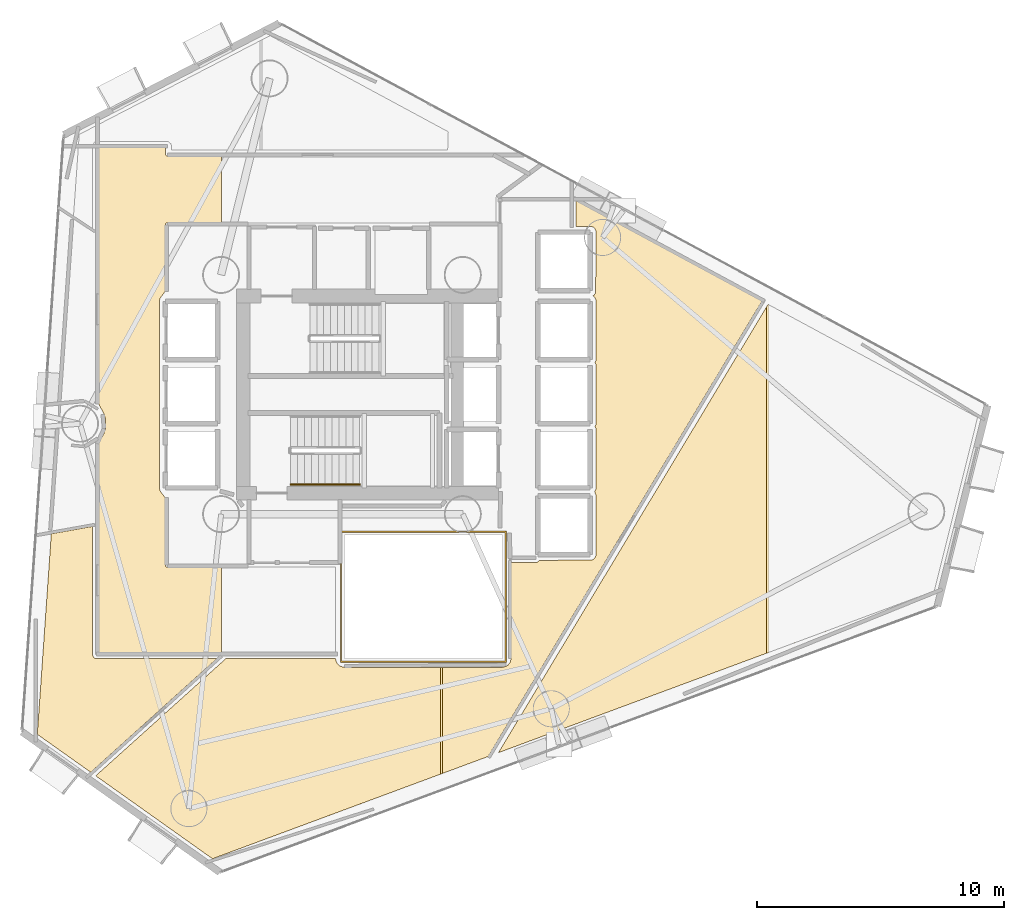
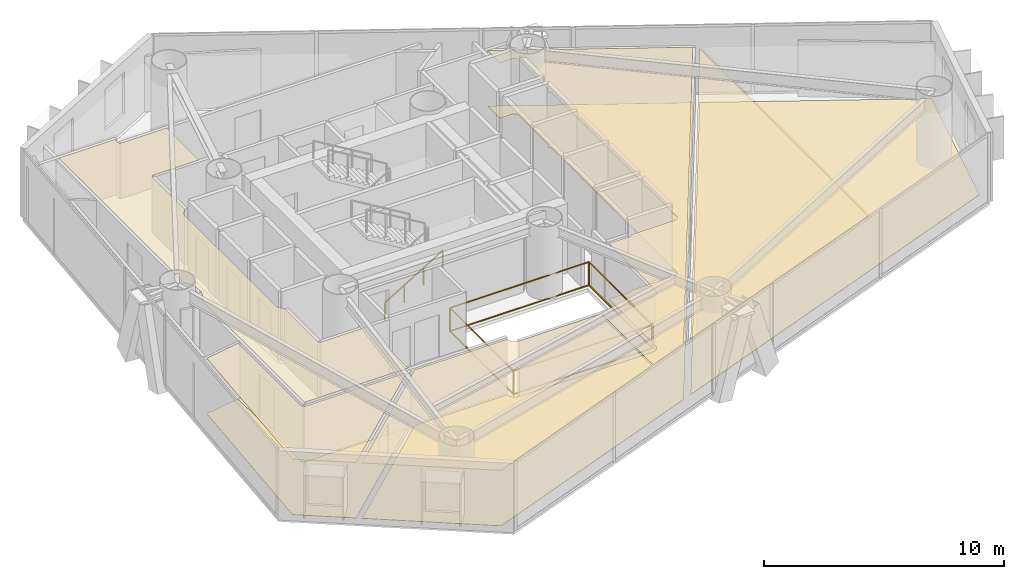
# One storey, part 19 of 21: 8 coverings, 2 railings.
"""IFC4 building model written with IfcOpenShell, lengths in metres."""

from ifc_helpers import new_model, si_unit, direction, frame, origin, origin_2d, place, context, subcontext, project, spatial, polyline, rectangle, outline, extrude, material, layer, layer_set, type_object, element, save


model = new_model("IFC4")

# Units and contexts
model_context = context("Model", 3, precision=1e-05, world=origin(), true_north=direction((0.0, 1.0)))
body_context = subcontext(model_context, "Body", "Model", "MODEL_VIEW")
ifc_project = project(units=[si_unit("LENGTHUNIT", "METRE"), si_unit("AREAUNIT", "SQUARE_METRE"), si_unit("VOLUMEUNIT", "CUBIC_METRE"), si_unit("PLANEANGLEUNIT", "RADIAN"), si_unit("MASSUNIT", "GRAM", prefix="KILO")], contexts=[model_context])

# Site, building, storey
site_placement = place(None, origin())
site = spatial("IfcSite", under=ifc_project, at=site_placement, CompositionType="ELEMENT")
building_placement = place(site_placement, origin())
building = spatial("IfcBuilding", under=site, at=building_placement, Name="Qianvela Tower", CompositionType="ELEMENT")
storey_placement = place(building_placement, frame((0.0, 0.0, 127.39990234375)))
storey = spatial("IfcBuildingStorey", under=building, at=storey_placement, Name="L32", CompositionType="ELEMENT", Elevation=127.39990234375)

# Coverings
ifc_material_1 = material(Name="Perforated Mineral Acoustic Ceiling Tile")
ifc_layer_1 = layer(ifc_material_1, 0.02490234375)
ifc_layer_set_1 = layer_set([ifc_layer_1], Name="Perforated Mineral Acoustic Ceiling Tile")
covering_type_1 = type_object("IfcCoveringType", Name="COV-CEIL-ACOUSTIC-25", PredefinedType="CEILING", material=ifc_layer_set_1)
covering_1_placement = place(storey_placement, frame((0.0, 0.0, 2.815185546875)))
element("IfcCovering", 1, at=covering_1_placement, inside=storey, type_object=covering_type_1, Name="L32 Acoustic Ceiling Bay 1 L32 Floor Corridor", PredefinedType="CEILING", context=body_context, shape_type="SweptSolid", body=[
    extrude(outline(polyline([(23.84814453125, 27.917724609375), (23.8447265625, 27.9248046875), (23.6298828125, 28.32666015625), (23.6298828125, 38.719970703125), (26.340087890625, 38.719970703125), (26.340087890625, 38.449951171875), (26.34033203125, 38.442138671875), (26.341552734375, 38.434326171875), (26.343505859375, 38.4267578125), (26.34619140625, 38.41943359375), (26.349365234375, 38.412353515625), (26.353515625, 38.405517578125), (26.358154296875, 38.399169921875), (26.36328125, 38.393310546875), (26.369140625, 38.38818359375), (26.37548828125, 38.383544921875), (26.38232421875, 38.37939453125), (26.389404296875, 38.376220703125), (26.396728515625, 38.373291015625), (26.404296875, 38.37158203125), (26.412109375, 38.370361328125), (26.419921875, 38.3701171875), (28.61669921875, 38.3701171875), (28.61669921875, 35.659912109375), (26.419921875, 35.659912109375), (26.412109375, 35.65966796875), (26.404296875, 35.658447265625), (26.396728515625, 35.656494140625), (26.389404296875, 35.65380859375), (26.38232421875, 35.650634765625), (26.37548828125, 35.646484375), (26.369140625, 35.641845703125), (26.36328125, 35.63671875), (26.358154296875, 35.630859375), (26.353515625, 35.62451171875), (26.349365234375, 35.61767578125), (26.34619140625, 35.610595703125), (26.343505859375, 35.603271484375), (26.341552734375, 35.595703125), (26.34033203125, 35.587890625), (26.340087890625, 35.580078125), (26.340087890625, 32.89599609375), (26.139404296875, 32.62548828125), (26.135498046875, 32.61962890625), (26.132080078125, 32.61376953125), (26.12939453125, 32.607421875), (26.126953125, 32.60107421875), (26.103515625, 32.523193359375), (26.1015625, 32.515625), (26.100341796875, 32.5078125), (26.10009765625, 32.5), (26.10009765625, 24.89990234375), (26.100341796875, 24.89208984375), (26.1015625, 24.884521484375), (26.103515625, 24.876708984375), (26.126953125, 24.799072265625), (26.12939453125, 24.79248046875), (26.132080078125, 24.786376953125), (26.135498046875, 24.7802734375), (26.139404296875, 24.774658203125), (26.340087890625, 24.50390625), (26.340087890625, 21.780029296875), (26.34033203125, 21.772216796875), (26.341552734375, 21.764404296875), (26.343505859375, 21.7568359375), (26.34619140625, 21.74951171875), (26.349365234375, 21.7421875), (26.353515625, 21.735595703125), (26.358154296875, 21.729248046875), (26.36328125, 21.723388671875), (26.369140625, 21.71826171875), (26.37548828125, 21.71337890625), (26.38232421875, 21.70947265625), (26.389404296875, 21.7060546875), (26.396728515625, 21.703369140625), (26.404296875, 21.701416015625), (26.412109375, 21.700439453125), (26.419921875, 21.699951171875), (28.61669921875, 21.699951171875), (28.61669921875, 18.22998046875), (23.6298828125, 18.22998046875), (23.6298828125, 26.705322265625), (23.8447265625, 27.107177734375), (23.84814453125, 27.1142578125), (23.8505859375, 27.12158203125), (23.906005859375, 27.303466796875), (23.90771484375, 27.311279296875), (23.908935546875, 27.31884765625), (23.909423828125, 27.326904296875), (23.909423828125, 27.705078125), (23.908935546875, 27.713134765625), (23.90771484375, 27.720703125), (23.906005859375, 27.728515625), (23.8505859375, 27.910400390625), (23.84814453125, 27.917724609375)])), origin(), (0.0, 0.0, 1.0), 0.02490234375),
])
covering_2_placement = place(storey_placement, frame((0.0, 0.0, 2.815185546875)))
element("IfcCovering", 2, at=covering_2_placement, inside=storey, type_object=covering_type_1, Name="L32 Acoustic Ceiling Commons Day Lounge L32-01", PredefinedType="CEILING", context=body_context, shape_type="SweptSolid", body=[
    extrude(outline(polyline([(21.7138671875, 23.052490234375), (23.389892578125, 23.352294921875), (23.389892578125, 18.14990234375), (23.390380859375, 18.14208984375), (23.3916015625, 18.134521484375), (23.393310546875, 18.126708984375), (23.39599609375, 18.119384765625), (23.41943359375, 18.062744140625), (23.4228515625, 18.0556640625), (23.427001953125, 18.049072265625), (23.431640625, 18.042724609375), (23.43701171875, 18.036865234375), (23.442626953125, 18.031494140625), (23.448974609375, 18.02685546875), (23.455810546875, 18.02294921875), (23.462890625, 18.01953125), (23.519287109375, 17.99609375), (23.52685546875, 17.993408203125), (23.534423828125, 17.991455078125), (23.542236328125, 17.990478515625), (23.550048828125, 17.989990234375), (28.42529296875, 17.989990234375), (23.3115234375, 13.383544921875), (21.1455078125, 14.922119140625), (21.7138671875, 23.052490234375)])), origin(), (0.0, 0.0, 1.0), 0.02490234375),
])
covering_3_placement = place(storey_placement, frame((0.0, 0.0, 2.815185546875)))
element("IfcCovering", 3, at=covering_3_placement, inside=storey, type_object=covering_type_1, Name="L32 Acoustic Ceiling Bay 1 Peer Support Study Room L32-04A", PredefinedType="CEILING", context=body_context, shape_type="SweptSolid", body=[
    extrude(outline(polyline([(28.249755859375, 9.8759765625), (23.515380859375, 13.23876953125), (28.7900390625, 17.989990234375), (33.24609375, 17.989990234375), (33.252197265625, 17.912353515625), (33.25341796875, 17.904296875), (33.25537109375, 17.896240234375), (33.258056640625, 17.888427734375), (33.261474609375, 17.881103515625), (33.31298828125, 17.78466796875), (33.31689453125, 17.77783203125), (33.32177734375, 17.771484375), (33.326904296875, 17.765869140625), (33.332763671875, 17.760498046875), (33.417236328125, 17.691162109375), (33.42431640625, 17.68603515625), (33.431884765625, 17.681640625), (33.440185546875, 17.677978515625), (33.448486328125, 17.675537109375), (33.58056640625, 17.642333984375), (33.5869140625, 17.64111328125), (33.593505859375, 17.640380859375), (33.60009765625, 17.639892578125), (37.49072265625, 17.639892578125), (37.49072265625, 13.303955078125), (28.249755859375, 9.8759765625)])), origin(), (0.0, 0.0, 1.0), 0.02490234375),
])
covering_4_placement = place(storey_placement, frame((0.0, 0.0, 2.815185546875)))
element("IfcCovering", 4, at=covering_4_placement, inside=storey, type_object=covering_type_1, Name="L32 Acoustic Ceiling Bay 2 Peer Support Study Room L32-04A", PredefinedType="CEILING", context=body_context, shape_type="SweptSolid", body=[
    extrude(outline(polyline([(43.680908203125, 32.70703125), (43.6884765625, 32.709716796875), (43.695556640625, 32.712890625), (43.7021484375, 32.717041015625), (43.70849609375, 32.7216796875), (43.71435546875, 32.72705078125), (43.719482421875, 32.73291015625), (43.771240234375, 32.795654296875), (43.77587890625, 32.802001953125), (43.77978515625, 32.80859375), (43.783203125, 32.815673828125), (43.785888671875, 32.822998046875), (43.787841796875, 32.83056640625), (43.788818359375, 32.83837890625), (43.789306640625, 32.84619140625), (43.79736328125, 35.3271484375), (43.797119140625, 35.334228515625), (43.7958984375, 35.341552734375), (43.79443359375, 35.348388671875), (43.792236328125, 35.35546875), (43.789306640625, 35.362060546875), (43.785888671875, 35.368408203125), (43.7373046875, 35.44921875), (43.732666015625, 35.456298828125), (43.727294921875, 35.462890625), (43.72119140625, 35.46875), (43.71435546875, 35.47412109375), (43.70703125, 35.478515625), (43.699462890625, 35.482177734375), (43.624267578125, 35.51318359375), (43.616943359375, 35.515869140625), (43.609375, 35.517822265625), (43.6015625, 35.518798828125), (43.59375, 35.519287109375), (42.999267578125, 35.52001953125), (43.0, 36.55419921875), (50.531494140625, 32.489990234375), (39.42578125, 14.021728515625), (37.57080078125, 13.333740234375), (37.57080078125, 17.639892578125), (40.0, 17.639892578125), (40.0078125, 17.640380859375), (40.015625, 17.6416015625), (40.023193359375, 17.643310546875), (40.1787109375, 17.690673828125), (40.185546875, 17.693115234375), (40.192138671875, 17.696044921875), (40.198486328125, 17.69970703125), (40.204345703125, 17.70361328125), (40.209716796875, 17.70849609375), (40.21484375, 17.71337890625), (40.30615234375, 17.814208984375), (40.311279296875, 17.8203125), (40.315673828125, 17.826904296875), (40.3193359375, 17.833740234375), (40.322265625, 17.841064453125), (40.324462890625, 17.8486328125), (40.357666015625, 17.980712890625), (40.35888671875, 17.987060546875), (40.359619140625, 17.993408203125), (40.360107421875, 18.0), (40.360107421875, 21.889892578125), (41.367919921875, 21.890380859375), (41.375732421875, 21.890869140625), (41.383544921875, 21.891845703125), (41.39111328125, 21.893798828125), (41.3984375, 21.896484375), (41.405517578125, 21.89990234375), (41.45947265625, 21.9287109375), (41.46630859375, 21.932861328125), (41.472900390625, 21.9375), (41.478759765625, 21.943115234375), (41.48388671875, 21.948974609375), (41.48876953125, 21.955322265625), (41.492919921875, 21.96240234375), (41.49609375, 21.969482421875), (41.498779296875, 21.97705078125), (41.49951171875, 21.97998046875), (43.59375, 21.980712890625), (43.6015625, 21.981201171875), (43.609375, 21.982177734375), (43.616943359375, 21.984130859375), (43.624267578125, 21.98681640625), (43.699462890625, 22.017822265625), (43.70703125, 22.021484375), (43.71435546875, 22.02587890625), (43.72119140625, 22.03125), (43.727294921875, 22.037109375), (43.732666015625, 22.043701171875), (43.7373046875, 22.05078125), (43.785888671875, 22.131591796875), (43.7900390625, 22.13916015625), (43.793212890625, 22.147216796875), (43.79541015625, 22.155517578125), (43.796875, 22.1640625), (43.79736328125, 22.172607421875), (43.800048828125, 24.599853515625), (43.7998046875, 24.606689453125), (43.798828125, 24.613525390625), (43.79736328125, 24.620361328125), (43.79541015625, 24.626953125), (43.763427734375, 24.7158203125), (43.760498046875, 24.722900390625), (43.7568359375, 24.72998046875), (43.75244140625, 24.736572265625), (43.74755859375, 24.742431640625), (43.741943359375, 24.748046875), (43.739990234375, 24.74951171875), (43.743408203125, 24.75341796875), (43.74755859375, 24.760009765625), (43.751220703125, 24.766845703125), (43.79150390625, 24.85205078125), (43.794921875, 24.860107421875), (43.79736328125, 24.86865234375), (43.798828125, 24.87744140625), (43.79931640625, 24.88623046875), (43.800048828125, 27.300048828125), (43.799560546875, 27.307861328125), (43.79833984375, 27.31591796875), (43.79638671875, 27.323486328125), (43.793701171875, 27.3310546875), (43.7646484375, 27.39990234375), (43.793701171875, 27.468994140625), (43.79638671875, 27.476318359375), (43.79833984375, 27.484130859375), (43.799560546875, 27.491943359375), (43.800048828125, 27.5), (43.800048828125, 29.89990234375), (43.799560546875, 29.907958984375), (43.79833984375, 29.915771484375), (43.79638671875, 29.923583984375), (43.793701171875, 29.93115234375), (43.7646484375, 30.0), (43.793701171875, 30.06884765625), (43.79638671875, 30.076416015625), (43.79833984375, 30.084228515625), (43.799560546875, 30.09228515625), (43.800048828125, 30.10009765625), (43.7939453125, 32.540771484375), (43.793701171875, 32.548583984375), (43.79248046875, 32.556396484375), (43.79052734375, 32.56396484375), (43.787841796875, 32.5712890625), (43.784423828125, 32.578369140625), (43.780517578125, 32.585205078125), (43.7353515625, 32.652587890625), (43.73095703125, 32.658447265625), (43.726318359375, 32.6640625), (43.720947265625, 32.6689453125), (43.715087890625, 32.673583984375), (43.708984375, 32.677490234375), (43.702392578125, 32.680908203125), (43.69580078125, 32.68359375), (43.653564453125, 32.69873046875), (43.680908203125, 32.70703125)])), origin(), (0.0, 0.0, 1.0), 0.02490234375),
])
covering_5_placement = place(storey_placement, frame((0.0, 0.0, 2.815185546875)))
element("IfcCovering", 5, at=covering_5_placement, inside=storey, type_object=covering_type_1, Name="L32 Acoustic Ceiling Bay 1 Academic Advising Lounge L32-04B", PredefinedType="CEILING", context=body_context, shape_type="SweptSolid", body=[
    extrude(outline(polyline([(39.84619140625, 14.177734375), (50.724853515625, 32.26806640625), (50.724853515625, 18.21337890625), (39.84619140625, 14.177734375)])), origin(), (0.0, 0.0, 1.0), 0.02490234375),
])
ifc_material_2 = material(Name="Engineered Acoustic Oak Timber Flooring", Category="wood")
ifc_layer_2 = layer(ifc_material_2, 0.02001953125)
ifc_layer_set_2 = layer_set([ifc_layer_2], Name="Engineered Acoustic Oak Timber Flooring")
covering_type_2 = type_object("IfcCoveringType", Name="COV-FLOOR-OAK-20", PredefinedType="FLOORING", material=ifc_layer_set_2)
covering_6_placement = place(storey_placement, origin())
element("IfcCovering", 6, at=covering_6_placement, inside=storey, type_object=covering_type_2, Name="L32 Finish Flooring Commons Day Lounge L32-01", PredefinedType="FLOORING", context=body_context, shape_type="SweptSolid", body=[
    extrude(outline(polyline([(21.7138671875, 23.052490234375), (23.389892578125, 23.352294921875), (23.389892578125, 18.14990234375), (23.390380859375, 18.14208984375), (23.3916015625, 18.134521484375), (23.393310546875, 18.126708984375), (23.39599609375, 18.119384765625), (23.41943359375, 18.062744140625), (23.4228515625, 18.0556640625), (23.427001953125, 18.049072265625), (23.431640625, 18.042724609375), (23.43701171875, 18.036865234375), (23.442626953125, 18.031494140625), (23.448974609375, 18.02685546875), (23.455810546875, 18.02294921875), (23.462890625, 18.01953125), (23.519287109375, 17.99609375), (23.52685546875, 17.993408203125), (23.534423828125, 17.991455078125), (23.542236328125, 17.990478515625), (23.550048828125, 17.989990234375), (28.42529296875, 17.989990234375), (23.3115234375, 13.383544921875), (21.1455078125, 14.922119140625), (21.7138671875, 23.052490234375)])), origin(), (0.0, 0.0, 1.0), 0.02001953125),
])
covering_7_placement = place(storey_placement, origin())
element("IfcCovering", 7, at=covering_7_placement, inside=storey, type_object=covering_type_2, Name="L32 Finish Flooring Peer Support Study Room L32-04A", PredefinedType="FLOORING", context=body_context, shape_type="SweptSolid", body=[
    extrude(outline(polyline([(43.653564453125, 32.69873046875), (43.680908203125, 32.70703125), (43.6884765625, 32.709716796875), (43.695556640625, 32.712890625), (43.7021484375, 32.717041015625), (43.70849609375, 32.7216796875), (43.71435546875, 32.72705078125), (43.719482421875, 32.73291015625), (43.771240234375, 32.795654296875), (43.77587890625, 32.802001953125), (43.77978515625, 32.80859375), (43.783203125, 32.815673828125), (43.785888671875, 32.822998046875), (43.787841796875, 32.83056640625), (43.788818359375, 32.83837890625), (43.789306640625, 32.84619140625), (43.79736328125, 35.3271484375), (43.797119140625, 35.334228515625), (43.7958984375, 35.341552734375), (43.79443359375, 35.348388671875), (43.792236328125, 35.35546875), (43.789306640625, 35.362060546875), (43.785888671875, 35.368408203125), (43.7373046875, 35.44921875), (43.732666015625, 35.456298828125), (43.727294921875, 35.462890625), (43.72119140625, 35.46875), (43.71435546875, 35.47412109375), (43.70703125, 35.478515625), (43.699462890625, 35.482177734375), (43.624267578125, 35.51318359375), (43.616943359375, 35.515869140625), (43.609375, 35.517822265625), (43.6015625, 35.518798828125), (43.59375, 35.519287109375), (42.999267578125, 35.52001953125), (43.0, 36.55419921875), (50.531494140625, 32.489990234375), (39.42578125, 14.021728515625), (28.249755859375, 9.8759765625), (23.515380859375, 13.23876953125), (28.7900390625, 17.989990234375), (33.24609375, 17.989990234375), (33.252197265625, 17.912353515625), (33.25341796875, 17.904296875), (33.25537109375, 17.896240234375), (33.258056640625, 17.888427734375), (33.261474609375, 17.881103515625), (33.31298828125, 17.78466796875), (33.31689453125, 17.77783203125), (33.32177734375, 17.771484375), (33.326904296875, 17.765869140625), (33.332763671875, 17.760498046875), (33.417236328125, 17.691162109375), (33.42431640625, 17.68603515625), (33.431884765625, 17.681640625), (33.440185546875, 17.677978515625), (33.448486328125, 17.675537109375), (33.58056640625, 17.642333984375), (33.5869140625, 17.64111328125), (33.593505859375, 17.640380859375), (33.60009765625, 17.639892578125), (40.0, 17.639892578125), (40.0078125, 17.640380859375), (40.015625, 17.6416015625), (40.023193359375, 17.643310546875), (40.1787109375, 17.690673828125), (40.185546875, 17.693115234375), (40.192138671875, 17.696044921875), (40.198486328125, 17.69970703125), (40.204345703125, 17.70361328125), (40.209716796875, 17.70849609375), (40.21484375, 17.71337890625), (40.30615234375, 17.814208984375), (40.311279296875, 17.8203125), (40.315673828125, 17.826904296875), (40.3193359375, 17.833740234375), (40.322265625, 17.841064453125), (40.324462890625, 17.8486328125), (40.357666015625, 17.980712890625), (40.35888671875, 17.987060546875), (40.359619140625, 17.993408203125), (40.360107421875, 18.0), (40.360107421875, 21.889892578125), (41.367919921875, 21.890380859375), (41.375732421875, 21.890869140625), (41.383544921875, 21.891845703125), (41.39111328125, 21.893798828125), (41.3984375, 21.896484375), (41.405517578125, 21.89990234375), (41.45947265625, 21.9287109375), (41.46630859375, 21.932861328125), (41.472900390625, 21.9375), (41.478759765625, 21.943115234375), (41.48388671875, 21.948974609375), (41.48876953125, 21.955322265625), (41.492919921875, 21.96240234375), (41.49609375, 21.969482421875), (41.498779296875, 21.97705078125), (41.49951171875, 21.97998046875), (43.59375, 21.980712890625), (43.6015625, 21.981201171875), (43.609375, 21.982177734375), (43.616943359375, 21.984130859375), (43.624267578125, 21.98681640625), (43.699462890625, 22.017822265625), (43.70703125, 22.021484375), (43.71435546875, 22.02587890625), (43.72119140625, 22.03125), (43.727294921875, 22.037109375), (43.732666015625, 22.043701171875), (43.7373046875, 22.05078125), (43.785888671875, 22.131591796875), (43.7900390625, 22.13916015625), (43.793212890625, 22.147216796875), (43.79541015625, 22.155517578125), (43.796875, 22.1640625), (43.79736328125, 22.172607421875), (43.800048828125, 24.599853515625), (43.7998046875, 24.606689453125), (43.798828125, 24.613525390625), (43.79736328125, 24.620361328125), (43.79541015625, 24.626953125), (43.763427734375, 24.7158203125), (43.760498046875, 24.722900390625), (43.7568359375, 24.72998046875), (43.75244140625, 24.736572265625), (43.74755859375, 24.742431640625), (43.741943359375, 24.748046875), (43.739990234375, 24.74951171875), (43.743408203125, 24.75341796875), (43.74755859375, 24.760009765625), (43.751220703125, 24.766845703125), (43.79150390625, 24.85205078125), (43.794921875, 24.860107421875), (43.79736328125, 24.86865234375), (43.798828125, 24.87744140625), (43.79931640625, 24.88623046875), (43.800048828125, 27.300048828125), (43.799560546875, 27.307861328125), (43.79833984375, 27.31591796875), (43.79638671875, 27.323486328125), (43.793701171875, 27.3310546875), (43.7646484375, 27.39990234375), (43.793701171875, 27.468994140625), (43.79638671875, 27.476318359375), (43.79833984375, 27.484130859375), (43.799560546875, 27.491943359375), (43.800048828125, 27.5), (43.800048828125, 29.89990234375), (43.799560546875, 29.907958984375), (43.79833984375, 29.915771484375), (43.79638671875, 29.923583984375), (43.793701171875, 29.93115234375), (43.7646484375, 30.0), (43.793701171875, 30.06884765625), (43.79638671875, 30.076416015625), (43.79833984375, 30.084228515625), (43.799560546875, 30.09228515625), (43.800048828125, 30.10009765625), (43.7939453125, 32.540771484375), (43.793701171875, 32.548583984375), (43.79248046875, 32.556396484375), (43.79052734375, 32.56396484375), (43.787841796875, 32.5712890625), (43.784423828125, 32.578369140625), (43.780517578125, 32.585205078125), (43.7353515625, 32.652587890625), (43.73095703125, 32.658447265625), (43.726318359375, 32.6640625), (43.720947265625, 32.6689453125), (43.715087890625, 32.673583984375), (43.708984375, 32.677490234375), (43.702392578125, 32.680908203125), (43.69580078125, 32.68359375), (43.653564453125, 32.69873046875)])), origin(), (0.0, 0.0, 1.0), 0.02001953125),
])
covering_8_placement = place(storey_placement, origin())
element("IfcCovering", 8, at=covering_8_placement, inside=storey, type_object=covering_type_2, Name="L32 Finish Flooring Academic Advising Lounge L32-04B", PredefinedType="FLOORING", context=body_context, shape_type="SweptSolid", body=[
    extrude(outline(polyline([(57.5166015625, 20.73291015625), (39.84619140625, 14.177734375), (50.7783203125, 32.356689453125), (59.274658203125, 27.77197265625), (57.5166015625, 20.73291015625)])), origin(), (0.0, 0.0, 1.0), 0.02001953125),
])

# Railings
ifc_material_3 = material(Name="Laminated Safety Glass and Stainless Steel 316", Category="steel")
railing_type_1 = type_object("IfcRailingType", Name="RL-ATRIUM-GUARD-1250", PredefinedType="GUARDRAIL", material=ifc_material_3)
railing_1_placement = place(storey_placement, frame((33.4599609375, 17.860107421875, 0.0)))
element("IfcRailing", 9, at=railing_1_placement, inside=storey, type_object=railing_type_1, Name="L32 Atrium Edge Guardrail 1", PredefinedType="GUARDRAIL", context=body_context, shape_type="SweptSolid", body=[
    extrude(rectangle(XDim=0.050048828125, YDim=0.0400390625, at=origin_2d()), frame((0.0, 0.0, 1.22998046875), z_axis=(0.0, 1.0, 0.0), x_axis=(-1.0, 0.0, 0.0)), (0.0, 0.0, 1.0), 5.27978515625),
    extrude(rectangle(XDim=0.050048828125, YDim=0.0400390625, at=origin_2d()), frame((0.0, 0.0, 0.050048828125), z_axis=(0.0, 1.0, 0.0), x_axis=(-1.0, 0.0, 0.0)), (0.0, 0.0, 1.0), 5.27978515625),
    extrude(rectangle(XDim=0.050048828125, YDim=0.0400390625, at=origin_2d()), frame((0.0, 5.27978515625, 1.22998046875), z_axis=(1.0, 0.0, 0.0), x_axis=(0.0, 1.0, 0.0)), (0.0, 0.0, 1.0), 6.679931640625),
    extrude(rectangle(XDim=0.050048828125, YDim=0.0400390625, at=origin_2d()), frame((0.0, 5.27978515625, 0.050048828125), z_axis=(1.0, 0.0, 0.0), x_axis=(0.0, 1.0, 0.0)), (0.0, 0.0, 1.0), 6.679931640625),
    extrude(rectangle(XDim=0.050048828125, YDim=0.0400390625, at=origin_2d()), frame((6.679931640625, 5.27978515625, 1.22998046875), z_axis=(0.0, -1.0, 0.0), x_axis=(1.0, 0.0, 0.0)), (0.0, 0.0, 1.0), 5.27978515625),
    extrude(rectangle(XDim=0.050048828125, YDim=0.0400390625, at=origin_2d()), frame((6.679931640625, 5.27978515625, 0.050048828125), z_axis=(0.0, -1.0, 0.0), x_axis=(1.0, 0.0, 0.0)), (0.0, 0.0, 1.0), 5.27978515625),
    extrude(rectangle(XDim=0.050048828125, YDim=0.0400390625, at=origin_2d()), frame((6.679931640625, 0.0, 1.22998046875), z_axis=(-1.0, 0.0, 0.0), x_axis=(0.0, -1.0, 0.0)), (0.0, 0.0, 1.0), 6.679931640625),
    extrude(rectangle(XDim=0.050048828125, YDim=0.0400390625, at=origin_2d()), frame((6.679931640625, 0.0, 0.050048828125), z_axis=(-1.0, 0.0, 0.0), x_axis=(0.0, -1.0, 0.0)), (0.0, 0.0, 1.0), 6.679931640625),
    extrude(rectangle(XDim=0.050048828125, YDim=0.050048828125, at=origin_2d()), origin(), (0.0, 0.0, 1.0), 1.2099609375),
    extrude(rectangle(XDim=0.050048828125, YDim=0.050048828125, at=origin_2d()), frame((0.0, 5.27978515625, 0.0)), (0.0, 0.0, 1.0), 1.2099609375),
    extrude(rectangle(XDim=0.050048828125, YDim=0.050048828125, at=origin_2d()), frame((6.679931640625, 5.27978515625, 0.0)), (0.0, 0.0, 1.0), 1.2099609375),
    extrude(rectangle(XDim=0.050048828125, YDim=0.050048828125, at=origin_2d()), frame((6.679931640625, 0.0, 0.0)), (0.0, 0.0, 1.0), 1.2099609375),
])
ifc_material_4 = material(Name="Brushed Stainless Steel 304", Category="steel")
railing_type_2 = type_object("IfcRailingType", Name="RL-STAIR-HANDRAIL-900", PredefinedType="HANDRAIL", material=ifc_material_4)
railing_2_placement = place(storey_placement, frame((31.419921875, 25.050048828125, 0.168212890625)))
element("IfcRailing", 10, at=railing_2_placement, inside=storey, type_object=railing_type_2, Name="L32 ST-2 stair handrail 1", PredefinedType="HANDRAIL", context=body_context, shape_type="SweptSolid", body=[
    extrude(rectangle(XDim=0.050048828125, YDim=0.0400390625, at=origin_2d()), frame((0.0, 0.0, 0.8798828125), z_axis=(0.857242210791, 0.0, 0.514913383045), x_axis=(0.0, 1.0, 0.0)), (0.0, 0.0, 1.0), 3.266357421875),
    extrude(rectangle(XDim=0.050048828125, YDim=0.050048828125, at=origin_2d()), origin(), (0.0, 0.0, 1.0), 0.85986328125),
    extrude(rectangle(XDim=0.050048828125, YDim=0.050048828125, at=origin_2d()), frame((0.933349609375, 0.0, 0.560546875)), (0.0, 0.0, 1.0), 0.85986328125),
    extrude(rectangle(XDim=0.050048828125, YDim=0.050048828125, at=origin_2d()), frame((1.86669921875, 0.0, 1.121337890625)), (0.0, 0.0, 1.0), 0.85986328125),
    extrude(rectangle(XDim=0.050048828125, YDim=0.050048828125, at=origin_2d()), frame((2.800048828125, 0.0, 1.681884765625)), (0.0, 0.0, 1.0), 0.85986328125),
])

save(model, "model.ifc")
